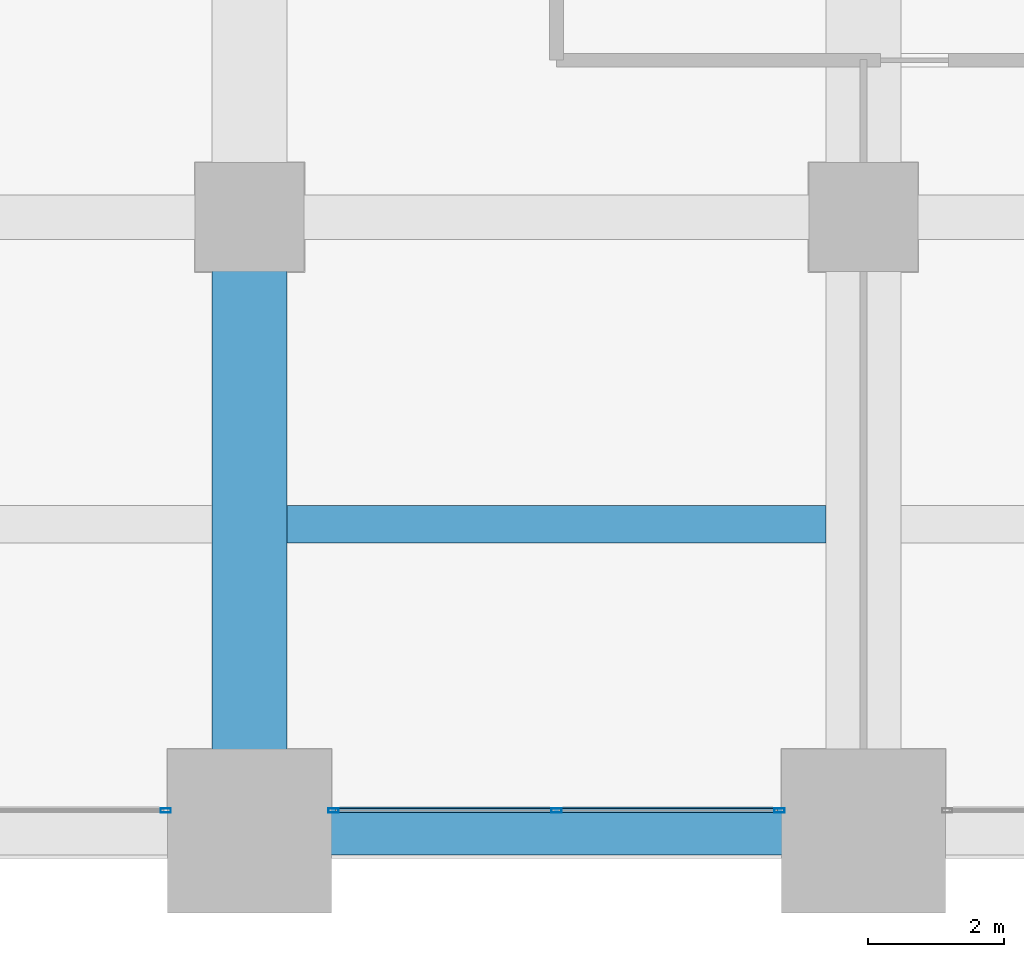
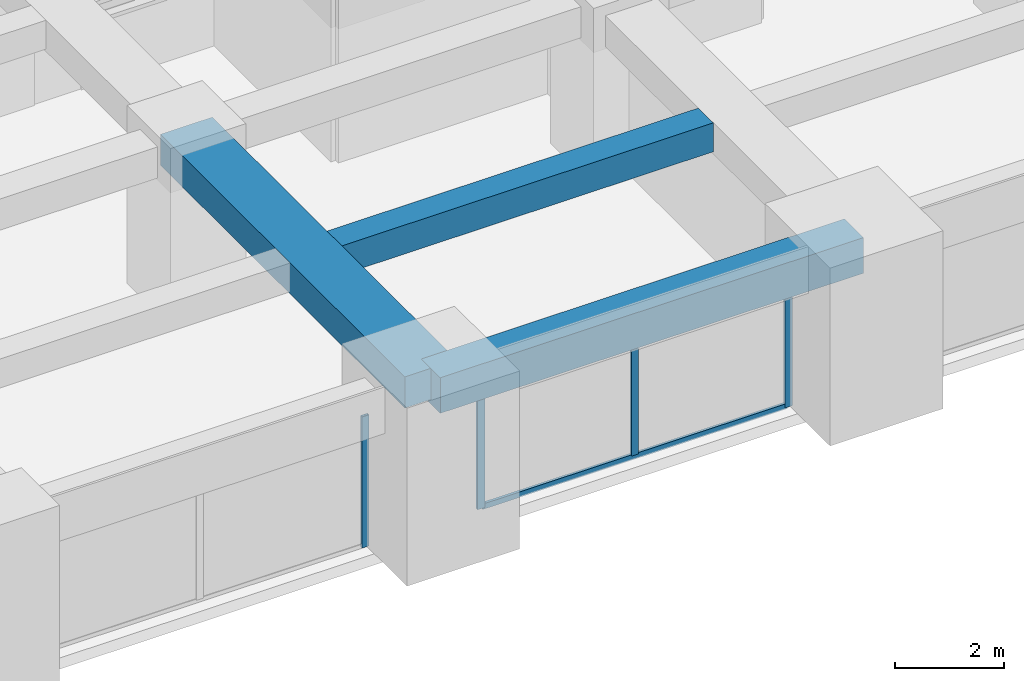
# One storey, part 6 of 32: 5 members, 3 beams, 2 elements without a shape of their own.
"""IFC4 building model written with IfcOpenShell, lengths in metres."""

import ifcopenshell
import ifcopenshell.guid

model = None  # the IFC model being written
_history = None  # IfcOwnerHistory: only IFC2X3 demands one
_inside = {}  # id of a spatial element -> (the spatial element, [elements in it])
_under = {}  # id of a project, library or spatial element -> (it, [spatial elements below it])
_declared = {}  # id of a project -> (the project, [libraries it declares])
_typed = {}  # id of a type object -> (the type object, [elements of that type])
_made_of = {}  # id of a material, layer set ... -> (it, [elements and type objects made of it])


def new_model(schema):
    """Start an empty IFC model of exactly this schema.

    Asked for "IFC4X3", IfcOpenShell would pick the latest addendum, in which some entities
    have other attributes; the version numbers below select the first issue.
    IFC2X3 requires an IfcOwnerHistory on every rooted entity: one is made here for all.
    """
    global model, _history
    if schema == "IFC4X3":
        model = ifcopenshell.file(schema_version=(4, 3, 0, 0))
    else:
        model = ifcopenshell.file(schema=schema)
    _inside.clear()
    _under.clear()
    _declared.clear()
    _typed.clear()
    _made_of.clear()
    _history = None
    if model.schema == "IFC2X3":
        org = make("IfcOrganization", Name="unknown")
        user = make(
            "IfcPersonAndOrganization",
            ThePerson=make("IfcPerson", FamilyName="unknown"),
            TheOrganization=org,
        )
        app = make(
            "IfcApplication",
            ApplicationDeveloper=org,
            Version="unknown",
            ApplicationFullName="unknown",
            ApplicationIdentifier="unknown",
        )
        _history = make(
            "IfcOwnerHistory",
            OwningUser=user,
            OwningApplication=app,
            ChangeAction="ADDED",
            CreationDate=0,
        )
    return model


def make(cls, **values):
    """One entity of the class cls with the attributes given. An attribute that is None is left unset."""
    return model.create_entity(
        cls, **{name: value for name, value in values.items() if value is not None}
    )


def rooted(cls, **values):
    """An entity with a GlobalId (a new one), such as an element, a storey or a relation."""
    return make(cls, GlobalId=ifcopenshell.guid.new(), OwnerHistory=_history, **values)


def si_unit(unit_type, name, prefix=None):
    """IfcSIUnit, for example si_unit("LENGTHUNIT", "METRE", prefix="MILLI")."""
    return make("IfcSIUnit", UnitType=unit_type, Prefix=prefix, Name=name)


def assignment(units):
    """IfcUnitAssignment: the units of a project."""
    return None if units is None else make("IfcUnitAssignment", Units=units)


def point(xyz):
    """IfcCartesianPoint."""
    return None if xyz is None else make("IfcCartesianPoint", Coordinates=xyz)


def direction(xyz):
    """IfcDirection."""
    return None if xyz is None else make("IfcDirection", DirectionRatios=xyz)


def frame(location, z_axis=None, x_axis=None):
    """IfcAxis2Placement3D, a coordinate frame: its origin and axes. An axis left out is left unset."""
    return make(
        "IfcAxis2Placement3D",
        Location=point(location),
        Axis=direction(z_axis),
        RefDirection=direction(x_axis),
    )


def frame_2d(location, x_axis=None):
    """IfcAxis2Placement2D, a coordinate frame in the plane: its origin and x axis."""
    return make(
        "IfcAxis2Placement2D", Location=point(location), RefDirection=direction(x_axis)
    )


def origin():
    """The frame at (0, 0, 0) with its axes left unset."""
    return frame((0.0, 0.0, 0.0))


def origin_2d():
    """The frame at (0, 0) in the plane with its x axis left unset."""
    return frame_2d((0.0, 0.0))


def place(relative_to, where):
    """IfcLocalPlacement: puts the frame where relative to a parent placement (None: the world)."""
    return make(
        "IfcLocalPlacement", PlacementRelTo=relative_to, RelativePlacement=where
    )


def context(
    kind, dimensions, precision=None, world=None, true_north=None, identifier=None
):
    """IfcGeometricRepresentationContext, for example the 3D "Model" context."""
    return make(
        "IfcGeometricRepresentationContext",
        ContextIdentifier=identifier,
        ContextType=kind,
        CoordinateSpaceDimension=dimensions,
        Precision=precision,
        WorldCoordinateSystem=world,
        TrueNorth=true_north,
    )


def subcontext(parent, identifier, kind, view, scale=None):
    """IfcGeometricRepresentationSubContext, for example "Body" below "Model"."""
    return make(
        "IfcGeometricRepresentationSubContext",
        ContextIdentifier=identifier,
        ContextType=kind,
        ParentContext=parent,
        TargetScale=scale,
        TargetView=view,
    )


def project(units=None, contexts=None):
    """IfcProject with its units and contexts."""
    return rooted(
        "IfcProject",
        Name="project",
        RepresentationContexts=contexts,
        UnitsInContext=assignment(units),
    )


def spatial(cls, under=None, at=None, **own):
    """A site, building, storey or space (cls), placed at a placement, below another one or the project."""
    s = rooted(cls, ObjectPlacement=at, **own)
    if under is not None:
        _under.setdefault(under.id(), (under, []))[1].append(s)
    return s


def profile(cls, at=None, kind="AREA", **sizes):
    """A parametric profile (cls). Its sizes go by their IFC names, for example OverallWidth=200.0."""
    return make(cls, ProfileType=kind, Position=at, **sizes)


def rectangle(**sizes):
    """IfcRectangleProfileDef."""
    return profile("IfcRectangleProfileDef", **sizes)


def hollow_rectangle(**sizes):
    """IfcRectangleHollowProfileDef."""
    return profile("IfcRectangleHollowProfileDef", **sizes)


def extrude(swept, where, along, depth):
    """IfcExtrudedAreaSolid: the profile swept, set in the frame where, extruded along a direction by depth."""
    return make(
        "IfcExtrudedAreaSolid",
        SweptArea=swept,
        Position=where,
        ExtrudedDirection=direction(along),
        Depth=depth,
    )


def shape(context_of_items, identifier, shape_type, items):
    """IfcShapeRepresentation: the items that make up one representation, for example the "Body"."""
    return make(
        "IfcShapeRepresentation",
        ContextOfItems=context_of_items,
        RepresentationIdentifier=identifier,
        RepresentationType=shape_type,
        Items=items,
    )


def material(Name=None, Category=None):
    """IfcMaterial."""
    return make("IfcMaterial", Name=Name, Category=Category)


def material_profile(
    of_material, cross_section, Name=None, Category=None, Priority=None
):
    """IfcMaterialProfile: a cross section and its material."""
    return make(
        "IfcMaterialProfile",
        Name=Name,
        Material=of_material,
        Profile=cross_section,
        Priority=Priority,
        Category=Category,
    )


def profile_set(profiles, Name=None, composite=None):
    """IfcMaterialProfileSet."""
    return make(
        "IfcMaterialProfileSet",
        Name=Name,
        MaterialProfiles=profiles,
        CompositeProfile=composite,
    )


def made_of(thing, what):
    """Note that an element or type object is made of a material, layer set ...; save() writes the relation."""
    if what is not None:
        _made_of.setdefault(what.id(), (what, []))[1].append(thing)
    return thing


def type_object(cls, material=None, **own):
    """A type object (cls), such as IfcWallType, which elements share."""
    return made_of(rooted(cls, **own), material)


def element(
    cls,
    number,
    at=None,
    inside=None,
    cuts=None,
    type_object=None,
    material=None,
    context=None,
    identifier="Body",
    shape_type=None,
    held_by="IfcProductDefinitionShape",
    body=None,
    shapes=None,
    **own,
):
    """One element of the class cls, such as IfcWall. Its Tag is "e" and its number.

    at: its placement. inside: the storey or other place that contains it. cuts: it is an
    opening in that element (IfcRelVoidsElement). A single representation is given by context,
    identifier, shape_type and body (its items); several are given by shapes. held_by: the class
    of the entity that holds the representations. save() writes the other relations.
    """
    e = rooted(cls, Tag="e%d" % number, ObjectPlacement=at, **own)
    if body is not None:
        shapes = [shape(context, identifier, shape_type, body)]
    if shapes is not None:
        e.Representation = make(held_by, Representations=shapes)
    if inside is not None:
        _inside.setdefault(inside.id(), (inside, []))[1].append(e)
    if cuts is not None:
        rooted(
            "IfcRelVoidsElement", RelatingBuildingElement=cuts, RelatedOpeningElement=e
        )
    if type_object is not None:
        _typed.setdefault(type_object.id(), (type_object, []))[1].append(e)
    return made_of(e, material)


def aggregate(whole, parts):
    """IfcRelAggregates: a whole, such as a stair, and the parts it consists of."""
    return rooted("IfcRelAggregates", RelatingObject=whole, RelatedObjects=parts)


def save(model, path):
    """Write the relations noted so far, then the file.

    IfcRelAggregates (storeys below a building ...), IfcRelContainedInSpatialStructure (elements
    in a storey), IfcRelDefinesByType, IfcRelAssociatesMaterial and IfcRelDeclares: one each for
    every whole, place, type object, material and project.
    """
    for whole, parts in _under.values():
        aggregate(whole, parts)
    for where, things in _inside.values():
        rooted(
            "IfcRelContainedInSpatialStructure",
            RelatedElements=things,
            RelatingStructure=where,
        )
    for kind, things in _typed.values():
        rooted("IfcRelDefinesByType", RelatedObjects=things, RelatingType=kind)
    for what, things in _made_of.values():
        rooted("IfcRelAssociatesMaterial", RelatedObjects=things, RelatingMaterial=what)
    for by, libraries in _declared.values():
        rooted("IfcRelDeclares", RelatingContext=by, RelatedDefinitions=libraries)
    model.write(path)


model = new_model("IFC4")

# Units and contexts
model_context = context("Model", 3, precision=1e-05, world=origin(), true_north=direction((0.0, 1.0)))
body_context = subcontext(model_context, "Body", "Model", "MODEL_VIEW")
ifc_project = project(units=[si_unit("LENGTHUNIT", "METRE"), si_unit("AREAUNIT", "SQUARE_METRE"), si_unit("VOLUMEUNIT", "CUBIC_METRE"), si_unit("PLANEANGLEUNIT", "RADIAN"), si_unit("MASSUNIT", "GRAM", prefix="KILO")], contexts=[model_context])

# Site, building, storey
site_placement = place(None, origin())
site = spatial("IfcSite", under=ifc_project, at=site_placement, CompositionType="ELEMENT")
building_placement = place(site_placement, origin())
building = spatial("IfcBuilding", under=site, at=building_placement, Name="Zorevar Civic Tower", CompositionType="ELEMENT")
storey_placement = place(building_placement, frame((0.0, 0.0, 190.199951171875)))
storey = spatial("IfcBuildingStorey", under=building, at=storey_placement, Name="L46", CompositionType="ELEMENT", Elevation=190.199951171875)

# Beams
ifc_material_1 = material(Name="Concrete C50/60", Category="concrete")
ifc_material_profile_1 = material_profile(ifc_material_1, rectangle(XDim=1.10009765625, YDim=0.699951171875, at=origin_2d()), Name="RC 1100x700")
ifc_profile_set_1 = profile_set([ifc_material_profile_1], Name="Concrete C50/60")
beam_type_1 = type_object("IfcBeamType", Name="Beam RC 1100x700", PredefinedType="BEAM", material=ifc_profile_set_1)
beam_1_placement = place(storey_placement, frame((18.0, 0.0, 3.400146484375), z_axis=(0.0, 1.0, 0.0), x_axis=(-1.0, 0.0, 0.0)))
element("IfcBeam", 1, at=beam_1_placement, inside=storey, type_object=beam_type_1, Name="Girder L47", PredefinedType="BEAM", context=body_context, shape_type="SweptSolid", body=[
    extrude(rectangle(XDim=1.10009765625, YDim=0.699951171875, at=origin_2d()), origin(), (0.0, 0.0, 1.0), 9.0),
])
ifc_material_2 = material(Name="Concrete C50/60", Category="concrete")
ifc_material_profile_2 = material_profile(ifc_material_2, rectangle(XDim=0.550048828125, YDim=0.64990234375, at=origin_2d()), Name="RC 550x650")
ifc_profile_set_2 = profile_set([ifc_material_profile_2], Name="Concrete C50/60")
beam_type_2 = type_object("IfcBeamType", Name="Beam RC 550x650", PredefinedType="BEAM", material=ifc_profile_set_2)
beam_2_placement = place(storey_placement, frame((18.550048828125, 4.5, 3.425048828125), z_axis=(1.0, 0.0, 0.0), x_axis=(0.0, 1.0, 0.0)))
element("IfcBeam", 2, at=beam_2_placement, inside=storey, type_object=beam_type_2, Name="Secondary beam L47", PredefinedType="BEAM", context=body_context, shape_type="SweptSolid", body=[
    extrude(rectangle(XDim=0.550048828125, YDim=0.64990234375, at=origin_2d()), origin(), (0.0, 0.0, 1.0), 7.89990234375),
])

# Curtain wall, member
ifc_material_3 = material(Name="Dark grey solar-control glass in black aluminium frame", Category="aluminium")
curtain_wall_type = type_object("IfcCurtainWallType", Name="Curtain wall CW4 high zone", PredefinedType="NOTDEFINED", material=ifc_material_3)
curtain_wall_1_placement = place(storey_placement, origin())
curtain_wall_1 = element("IfcCurtainWall", 3, at=curtain_wall_1_placement, inside=storey, type_object=curtain_wall_type, Name="CW4 L46", PredefinedType="NOTDEFINED")
ifc_material_4 = material(Name="Aluminium, black anodised", Category="aluminium")
ifc_material_profile_3 = material_profile(ifc_material_4, hollow_rectangle(XDim=0.06005859375, YDim=0.14990234375, WallThickness=0.00390625, at=origin_2d()), Name="AL 150x60x4")
ifc_profile_set_3 = profile_set([ifc_material_profile_3], Name="Aluminium, black anodised")
member_type_1 = type_object("IfcMemberType", Name="CW4 mullion AL 150x60x4", PredefinedType="MULLION", material=ifc_profile_set_3)
member_1_placement = place(storey_placement, frame((16.77001953125, 0.300048828125, 0.0), z_axis=(0.0, 0.0, 1.0), x_axis=(0.0, 1.0, 0.0)))
member_1 = element("IfcMember", 4, at=member_1_placement, type_object=member_type_1, Name="CW4 mullion 3", PredefinedType="MULLION", context=body_context, shape_type="SweptSolid", body=[
    extrude(hollow_rectangle(XDim=0.06005859375, YDim=0.14990234375, WallThickness=0.00390625, at=origin_2d()), origin(), (0.0, 0.0, 1.0), 2.949951171875),
])
aggregate(curtain_wall_1, [member_1])

# Curtain wall, members
curtain_wall_2_placement = place(storey_placement, origin())
curtain_wall_2 = element("IfcCurtainWall", 5, at=curtain_wall_2_placement, inside=storey, type_object=curtain_wall_type, Name="CW4 L46", PredefinedType="NOTDEFINED")
member_2_placement = place(storey_placement, frame((19.22998046875, 0.300048828125, 0.0), z_axis=(0.0, 0.0, 1.0), x_axis=(0.0, 1.0, 0.0)))
member_2 = element("IfcMember", 6, at=member_2_placement, type_object=member_type_1, Name="CW4 mullion 1", PredefinedType="MULLION", context=body_context, shape_type="SweptSolid", body=[
    extrude(hollow_rectangle(XDim=0.06005859375, YDim=0.14990234375, WallThickness=0.00390625, at=origin_2d()), origin(), (0.0, 0.0, 1.0), 2.949951171875),
])
member_3_placement = place(storey_placement, frame((22.5, 0.300048828125, 0.06005859375), z_axis=(0.0, 0.0, 1.0), x_axis=(0.0, 1.0, 0.0)))
member_3 = element("IfcMember", 7, at=member_3_placement, type_object=member_type_1, Name="CW4 mullion 2", PredefinedType="MULLION", context=body_context, shape_type="SweptSolid", body=[
    extrude(hollow_rectangle(XDim=0.06005859375, YDim=0.14990234375, WallThickness=0.00390625, at=origin_2d()), origin(), (0.0, 0.0, 1.0), 2.889892578125),
])
member_4_placement = place(storey_placement, frame((25.77001953125, 0.300048828125, 0.0), z_axis=(0.0, 0.0, 1.0), x_axis=(0.0, 1.0, 0.0)))
member_4 = element("IfcMember", 8, at=member_4_placement, type_object=member_type_1, Name="CW4 mullion 3", PredefinedType="MULLION", context=body_context, shape_type="SweptSolid", body=[
    extrude(hollow_rectangle(XDim=0.06005859375, YDim=0.14990234375, WallThickness=0.00390625, at=origin_2d()), origin(), (0.0, 0.0, 1.0), 2.949951171875),
])
ifc_material_5 = material(Name="Aluminium, black anodised", Category="aluminium")
ifc_material_profile_4 = material_profile(ifc_material_5, hollow_rectangle(XDim=0.06005859375, YDim=0.1201171875, WallThickness=0.0029296875, at=origin_2d()), Name="AL 120x60x3")
ifc_profile_set_4 = profile_set([ifc_material_profile_4], Name="Aluminium, black anodised")
member_type_2 = type_object("IfcMemberType", Name="CW4 transom AL 120x60x3", PredefinedType="USERDEFINED", material=ifc_profile_set_4)
member_5_placement = place(storey_placement, frame((19.260009765625, 0.300048828125, 0.030029296875), z_axis=(1.0, 0.0, 0.0), x_axis=(0.0, 1.0, 0.0)))
member_5 = element("IfcMember", 9, at=member_5_placement, type_object=member_type_2, Name="CW4 sill transom", ObjectType="TRANSOM", PredefinedType="USERDEFINED", context=body_context, shape_type="SweptSolid", body=[
    extrude(hollow_rectangle(XDim=0.06005859375, YDim=0.1201171875, WallThickness=0.0029296875, at=origin_2d()), origin(), (0.0, 0.0, 1.0), 6.47998046875),
])
aggregate(curtain_wall_2, [member_2, member_3, member_4, member_5])

# Beam
ifc_material_6 = material(Name="Concrete C50/60", Category="concrete")
ifc_material_profile_5 = material_profile(ifc_material_6, rectangle(XDim=0.699951171875, YDim=0.800048828125, at=origin_2d()), Name="RC 700x800")
ifc_profile_set_5 = profile_set([ifc_material_profile_5], Name="Concrete C50/60")
beam_type_3 = type_object("IfcBeamType", Name="Edge beam RC 700x800", PredefinedType="SPANDREL", material=ifc_profile_set_5)
beam_3_placement = place(storey_placement, frame((18.0, 0.0, 3.35009765625), z_axis=(1.0, 0.0, 0.0), x_axis=(0.0, 1.0, 0.0)))
element("IfcBeam", 10, at=beam_3_placement, inside=storey, type_object=beam_type_3, Name="Edge beam L47", PredefinedType="SPANDREL", context=body_context, shape_type="SweptSolid", body=[
    extrude(rectangle(XDim=0.699951171875, YDim=0.800048828125, at=origin_2d()), origin(), (0.0, 0.0, 1.0), 9.0),
])

save(model, "model.ifc")
